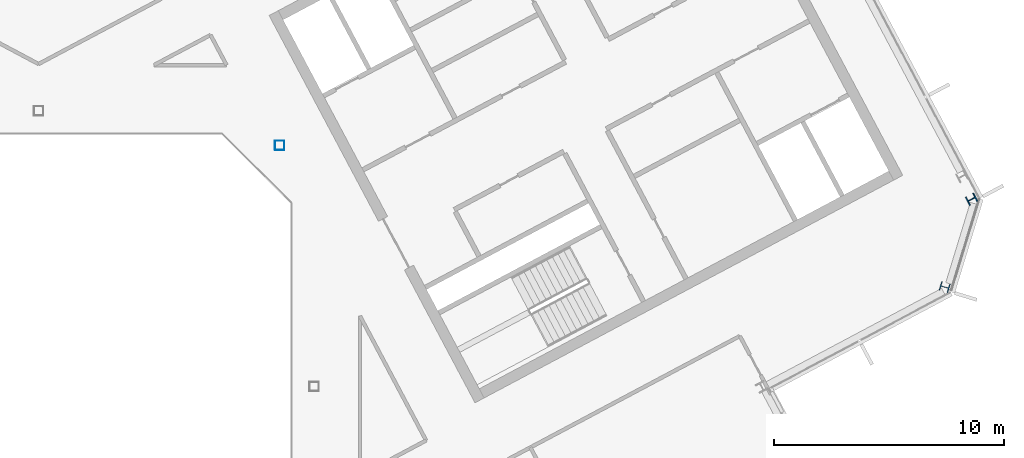
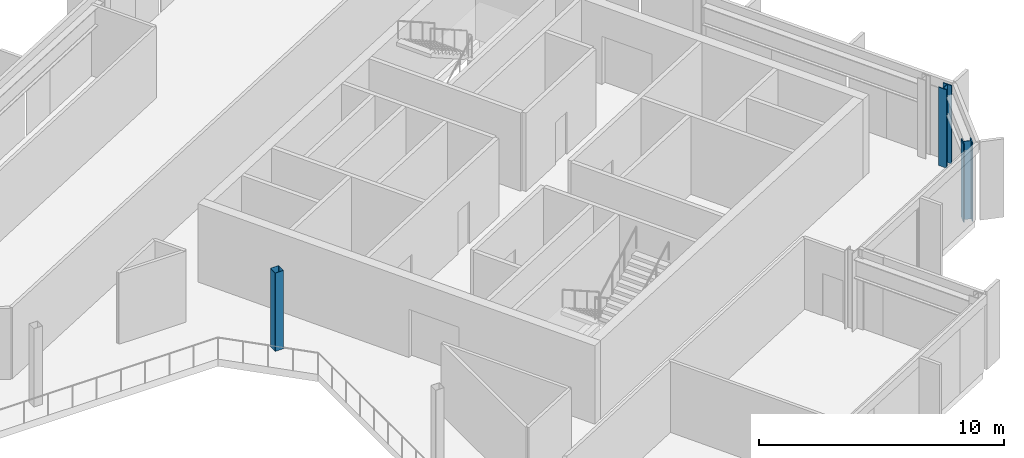
# One storey, part 6 of 26: 3 columns.
"""IFC4 building model written with IfcOpenShell, lengths in metres."""

from ifc_helpers import new_model, si_unit, direction, frame, origin, origin_2d, place, context, subcontext, project, spatial, hollow_rectangle, i_section, extrude, material, material_profile, profile_set, type_object, element, save


model = new_model("IFC4")

# Units and contexts
model_context = context("Model", 3, precision=1e-05, world=origin(), true_north=direction((0.0, 1.0)))
body_context = subcontext(model_context, "Body", "Model", "MODEL_VIEW")
ifc_project = project(units=[si_unit("LENGTHUNIT", "METRE"), si_unit("AREAUNIT", "SQUARE_METRE"), si_unit("VOLUMEUNIT", "CUBIC_METRE"), si_unit("PLANEANGLEUNIT", "RADIAN"), si_unit("MASSUNIT", "GRAM", prefix="KILO")], contexts=[model_context])

# Site, building, storey
site_placement = place(None, origin())
site = spatial("IfcSite", under=ifc_project, at=site_placement, CompositionType="ELEMENT")
building_placement = place(site_placement, origin())
building = spatial("IfcBuilding", under=site, at=building_placement, Name="Cormorant Relay Tower", CompositionType="ELEMENT")
storey_placement = place(building_placement, frame((0.0, 0.0, 261.89990234375)))
storey = spatial("IfcBuildingStorey", under=building, at=storey_placement, Name="L58", CompositionType="ELEMENT", Elevation=261.89990234375)

# Columns
ifc_material_1 = material(Name="Steel ASTM A500 Grade C (Fy 345 MPa)", Category="steel")
ifc_material_profile_1 = material_profile(ifc_material_1, hollow_rectangle(XDim=0.406494140625, YDim=0.406494140625, WallThickness=0.0087890625, InnerFilletRadius=0.00439453125, OuterFilletRadius=0.01318359375, at=origin_2d()), Name="HSS406x406x9")
ifc_profile_set_1 = profile_set([ifc_material_profile_1], Name="Steel ASTM A500 Grade C (Fy 345 MPa)")
column_type_1 = type_object("IfcColumnType", Name="Column HSS406x406x9", PredefinedType="COLUMN", material=ifc_profile_set_1)
column_placement = place(storey_placement, frame((10.5, 10.5, 0.0), z_axis=(0.0, 0.0, 1.0), x_axis=(1.0, 0.0, 0.0)))
element("IfcColumn", 1, at=column_placement, inside=storey, type_object=column_type_1, Name="Column L58-024", PredefinedType="COLUMN", context=body_context, shape_type="SweptSolid", body=[
    extrude(hollow_rectangle(XDim=0.406494140625, YDim=0.406494140625, WallThickness=0.0087890625, InnerFilletRadius=0.00439453125, OuterFilletRadius=0.01318359375, at=origin_2d()), origin(), (0.0, 0.0, 1.0), 3.900146484375),
])
ifc_material_2 = material(Name="Steel ASTM A992 (Fy 345 MPa)", Category="steel")
ifc_material_profile_2 = material_profile(ifc_material_2, i_section(OverallWidth=0.40380859375, OverallDepth=0.406494140625, WebThickness=0.027099609375, FlangeThickness=0.043701171875, FilletRadius=0.01513671875, at=origin_2d()), Name="W360x347")
ifc_profile_set_2 = profile_set([ifc_material_profile_2], Name="Steel ASTM A992 (Fy 345 MPa)")
column_type_2 = type_object("IfcColumnType", Name="Column W360x347", PredefinedType="COLUMN", material=ifc_profile_set_2)
for number, where, z_axis, x_axis, name in (
    (2, (39.464111328125, 4.330078125, 0.0), (0.0, 0.0, 1.0), (0.292371704723, 0.956304755963, 0.0), "Column L58-019"),
    (3, (40.633056640625, 8.153076171875, 0.0), (0.0, 0.0, 1.0), (-0.469471562786, 0.882947592859, 0.0), "Column L58-020"),
):
    element("IfcColumn", number, at=place(storey_placement, frame(where, z_axis=z_axis, x_axis=x_axis)), inside=storey, type_object=column_type_2, Name=name, PredefinedType="COLUMN", context=body_context, shape_type="SweptSolid", body=[
        extrude(i_section(OverallWidth=0.40380859375, OverallDepth=0.406494140625, WebThickness=0.027099609375, FlangeThickness=0.043701171875, FilletRadius=0.01513671875, at=origin_2d()), origin(), (0.0, 0.0, 1.0), 3.900146484375),
    ])

save(model, "model.ifc")
